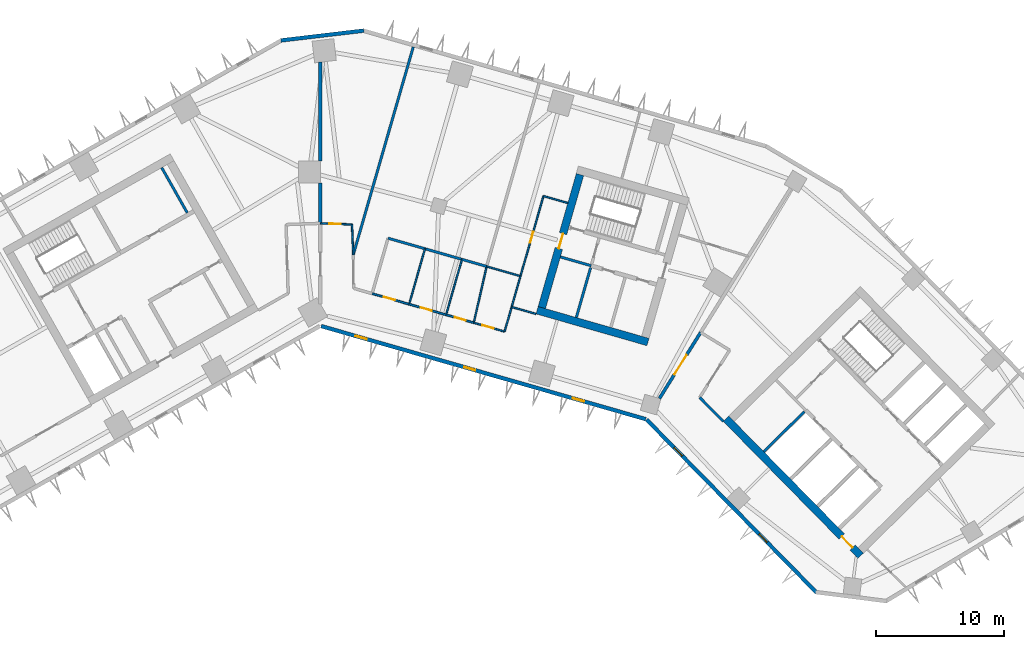
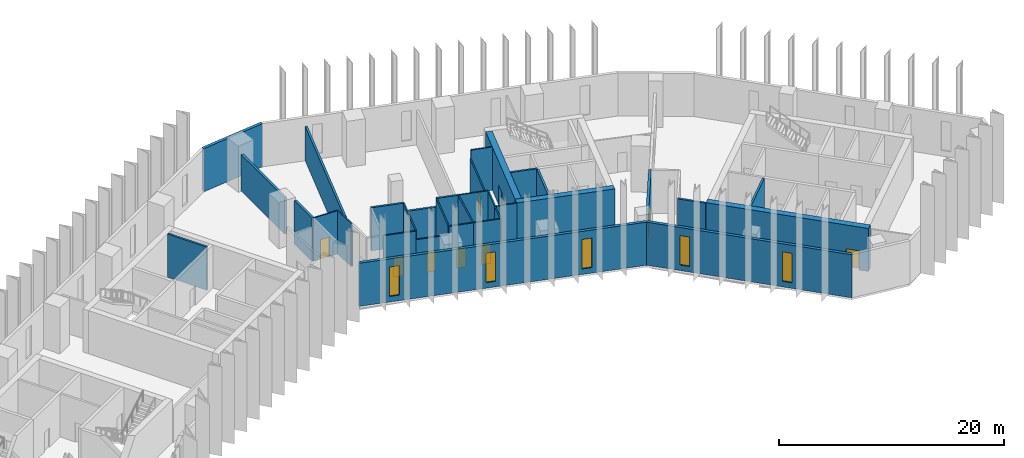
# One storey, part 5 of 11: 33 walls, 9 doors, 5 windows, 14 openings.
"""IFC4 building model written with IfcOpenShell, lengths in metres."""

from ifc_helpers import new_model, si_unit, direction, frame, frame_2d, origin, place, context, subcontext, project, spatial, rectangle, extrude, material, layer, layer_set, type_object, element, fill, save


model = new_model("IFC4")

# Units and contexts
model_context = context("Model", 3, precision=1e-05, world=origin(), true_north=direction((0.0, 1.0)))
body_context = subcontext(model_context, "Body", "Model", "MODEL_VIEW")
ifc_project = project(units=[si_unit("LENGTHUNIT", "METRE"), si_unit("AREAUNIT", "SQUARE_METRE"), si_unit("VOLUMEUNIT", "CUBIC_METRE"), si_unit("PLANEANGLEUNIT", "RADIAN"), si_unit("MASSUNIT", "GRAM", prefix="KILO")], contexts=[model_context])

# Site, building, storey
site_placement = place(None, origin())
site = spatial("IfcSite", under=ifc_project, at=site_placement, CompositionType="ELEMENT")
building_placement = place(site_placement, origin())
building = spatial("IfcBuilding", under=site, at=building_placement, Name="Binnacle Exchange Tower", CompositionType="ELEMENT")
storey_placement = place(building_placement, frame((0.0, 0.0, 76.5)))
storey = spatial("IfcBuildingStorey", under=building, at=storey_placement, Name="L15", CompositionType="ELEMENT", Elevation=76.5)

# Wall, opening, door
ifc_material_1 = material(Name="Concrete C70/85", Category="concrete")
ifc_layer_1 = layer(ifc_material_1, 0.60009765625)
ifc_layer_set_1 = layer_set([ifc_layer_1], Name="Core wall - outer 600")
wall_type_1 = type_object("IfcWallType", Name="Core wall - outer 600", PredefinedType="SOLIDWALL", material=ifc_layer_set_1)
wall_1_placement = place(storey_placement, frame((31.6455078125, 40.7626953125, 0.0), z_axis=(0.0, 0.0, 1.0), x_axis=(0.700911255944, -0.713248491965, 0.0)))
wall_1 = element("IfcWall", 1, at=wall_1_placement, inside=storey, type_object=wall_type_1, Name="Core wall CRWB1", PredefinedType="SOLIDWALL", context=body_context, shape_type="SweptSolid", body=[
    extrude(rectangle(XDim=15.0, YDim=0.60009765625, at=frame_2d((7.5, 0.0))), origin(), (0.0, 0.0, 1.0), 4.679931640625),
])
opening_1_placement = place(wall_1_placement, frame((12.89990234375, 0.0, 0.0)))
opening_1 = element("IfcOpeningElement", 2, at=opening_1_placement, cuts=wall_1, Name="Opening DB7", PredefinedType="OPENING", context=body_context, shape_type="SweptSolid", body=[
    extrude(rectangle(XDim=1.199951171875, YDim=2.10009765625, at=frame_2d((0.60009765625, 1.050048828125))), frame((0.0, 0.31005859375, 0.0), z_axis=(0.0, -1.0, 0.0), x_axis=(1.0, 0.0, 0.0)), (0.0, 0.0, 1.0), 0.6201171875),
])
ifc_material_2 = material(Name="Steel door leaf", Category="steel")
door_type_1 = type_object("IfcDoorType", Name="Fire door 1200", OperationType="NOTDEFINED", PredefinedType="DOOR", material=ifc_material_2)
door_1_placement = place(opening_1_placement, frame((1.199951171875, 0.0, 0.0), z_axis=(0.0, 0.0, 1.0), x_axis=(-1.0, 0.0, 0.0)))
door_1 = element("IfcDoor", 3, at=door_1_placement, inside=storey, type_object=door_type_1, Name="Lift lobby entrance door core B", OperationType="SINGLE_SWING_LEFT", OverallHeight=2.10009765625, OverallWidth=1.199951171875, PredefinedType="DOOR", context=body_context, shape_type="SweptSolid", body=[
    extrude(rectangle(XDim=1.199951171875, YDim=2.10009765625, at=frame_2d((0.60009765625, 1.050048828125))), frame((0.0, 0.02490234375, 0.0), z_axis=(0.0, -1.0, 0.0), x_axis=(1.0, 0.0, 0.0)), (0.0, 0.0, 1.0), 0.050048828125),
])
fill(opening_1, door_1)

# Wall
wall_2_placement = place(storey_placement, frame((16.91064453125, 49.22119140625, 0.0), z_axis=(0.0, 0.0, 1.0), x_axis=(0.96126248289, -0.275634611374, 0.0)))
element("IfcWall", 4, at=wall_2_placement, inside=storey, type_object=wall_type_1, Name="Core wall CRWD1", PredefinedType="SOLIDWALL", context=body_context, shape_type="SweptSolid", body=[
    extrude(rectangle(XDim=9.0, YDim=0.60009765625, at=frame_2d((4.5, 0.0))), origin(), (0.0, 0.0, 1.0), 4.679931640625),
])

# Wall, opening, door
wall_3_placement = place(storey_placement, frame((17.28173828125, 49.427001953125, 0.0), z_axis=(0.0, 0.0, 1.0), x_axis=(0.275631631629, 0.961263337304, 0.0)))
wall_3 = element("IfcWall", 5, at=wall_3_placement, inside=storey, type_object=wall_type_1, Name="Core wall CRWD7", PredefinedType="SOLIDWALL", context=body_context, shape_type="SweptSolid", body=[
    extrude(rectangle(XDim=10.800048828125, YDim=0.60009765625, at=frame_2d((5.39990234375, 0.0))), origin(), (0.0, 0.0, 1.0), 4.679931640625),
])
opening_2_placement = place(wall_3_placement, frame((4.800048828125, 0.0, 0.0)))
opening_2 = element("IfcOpeningElement", 6, at=opening_2_placement, cuts=wall_3, Name="Opening DD5", PredefinedType="OPENING", context=body_context, shape_type="SweptSolid", body=[
    extrude(rectangle(XDim=1.199951171875, YDim=2.10009765625, at=frame_2d((0.60009765625, 1.050048828125))), frame((0.0, 0.31005859375, 0.0), z_axis=(0.0, -1.0, 0.0), x_axis=(1.0, 0.0, 0.0)), (0.0, 0.0, 1.0), 0.6201171875),
])
door_2_placement = place(opening_2_placement, origin())
door_2 = element("IfcDoor", 7, at=door_2_placement, inside=storey, type_object=door_type_1, Name="Vestibule exit door VEST-W", OperationType="SINGLE_SWING_RIGHT", OverallHeight=2.10009765625, OverallWidth=1.199951171875, PredefinedType="DOOR", context=body_context, shape_type="SweptSolid", body=[
    extrude(rectangle(XDim=1.199951171875, YDim=2.10009765625, at=frame_2d((0.60009765625, 1.050048828125))), frame((0.0, 0.02490234375, 0.0), z_axis=(0.0, -1.0, 0.0), x_axis=(1.0, 0.0, 0.0)), (0.0, 0.0, 1.0), 0.050048828125),
])
fill(opening_2, door_2)

# Wall
ifc_material_3 = material(Name="Bronze aluminium cladding", Category="aluminium")
ifc_layer_2 = layer(ifc_material_3, 0.300048828125)
ifc_layer_set_2 = layer_set([ifc_layer_2], Name="External wall - spandrel 300")
wall_type_2 = type_object("IfcWallType", Name="External wall - spandrel 300", PredefinedType="STANDARD", material=ifc_layer_set_2)
wall_4_placement = place(storey_placement, frame((-3.076171875, 70.27294921875, 0.0), z_axis=(0.0, 0.0, 1.0), x_axis=(0.993067743007, 0.117543429416, 0.0)))
element("IfcWall", 8, at=wall_4_placement, inside=storey, type_object=wall_type_2, Name="External wall EW-F02 L15", PredefinedType="STANDARD", context=body_context, shape_type="SweptSolid", body=[
    extrude(rectangle(XDim=6.515625, YDim=0.300048828125, at=frame_2d((3.2578125, 0.0))), origin(), (0.0, 0.0, 1.0), 4.679931640625),
])

# Wall, openings, windows
wall_5_placement = place(storey_placement, frame((25.398193359375, 40.71728515625, 0.0), z_axis=(0.0, 0.0, 1.0), x_axis=(-0.961262423262, 0.275634819324, 0.0)))
wall_5 = element("IfcWall", 9, at=wall_5_placement, inside=storey, type_object=wall_type_2, Name="External wall EW-F08 L15", PredefinedType="STANDARD", context=body_context, shape_type="SweptSolid", body=[
    extrude(rectangle(XDim=26.358642578125, YDim=0.300048828125, at=frame_2d((13.17919921875, 0.0))), origin(), (0.0, 0.0, 1.0), 4.679931640625),
])
opening_3_placement = place(wall_5_placement, frame((22.6640625, 0.0, 0.60009765625)))
opening_3 = element("IfcOpeningElement", 10, at=opening_3_placement, cuts=wall_5, Name="Opening WS1", PredefinedType="OPENING", context=body_context, shape_type="SweptSolid", body=[
    extrude(rectangle(XDim=0.89990234375, YDim=3.199951171875, at=frame_2d((0.449951171875, 1.60009765625))), frame((0.0, 0.159912109375, 0.0), z_axis=(0.0, -1.0, 0.0), x_axis=(1.0, 0.0, 0.0)), (0.0, 0.0, 1.0), 0.320068359375),
])
opening_4_placement = place(wall_5_placement, frame((13.843505859375, 0.0, 0.60009765625)))
opening_4 = element("IfcOpeningElement", 11, at=opening_4_placement, cuts=wall_5, Name="Opening WS1", PredefinedType="OPENING", context=body_context, shape_type="SweptSolid", body=[
    extrude(rectangle(XDim=0.89990234375, YDim=3.199951171875, at=frame_2d((0.449951171875, 1.60009765625))), frame((0.0, 0.159912109375, 0.0), z_axis=(0.0, -1.0, 0.0), x_axis=(1.0, 0.0, 0.0)), (0.0, 0.0, 1.0), 0.320068359375),
])
opening_5_placement = place(wall_5_placement, frame((5.023193359375, 0.0, 0.60009765625)))
opening_5 = element("IfcOpeningElement", 12, at=opening_5_placement, cuts=wall_5, Name="Opening WS1", PredefinedType="OPENING", context=body_context, shape_type="SweptSolid", body=[
    extrude(rectangle(XDim=0.89990234375, YDim=3.199951171875, at=frame_2d((0.449951171875, 1.60009765625))), frame((0.0, 0.159912109375, 0.0), z_axis=(0.0, -1.0, 0.0), x_axis=(1.0, 0.0, 0.0)), (0.0, 0.0, 1.0), 0.320068359375),
])
ifc_material_4 = material(Name="Bronze anodised aluminium frame", Category="aluminium")
window_type = type_object("IfcWindowType", Name="WS1 WINDOW 900x3200", PartitioningType="SINGLE_PANEL", PredefinedType="WINDOW", material=ifc_material_4)
window_1_placement = place(opening_3_placement, origin())
window_1 = element("IfcWindow", 13, at=window_1_placement, inside=storey, type_object=window_type, Name="Window WS1 L15", OverallHeight=3.199951171875, OverallWidth=0.89990234375, PartitioningType="SINGLE_PANEL", PredefinedType="WINDOW", context=body_context, shape_type="SweptSolid", body=[
    extrude(rectangle(XDim=0.89990234375, YDim=3.199951171875, at=frame_2d((0.449951171875, 1.60009765625))), frame((0.0, 0.030029296875, 0.0), z_axis=(0.0, -1.0, 0.0), x_axis=(1.0, 0.0, 0.0)), (0.0, 0.0, 1.0), 0.06005859375),
])
fill(opening_3, window_1)
window_2_placement = place(opening_4_placement, origin())
window_2 = element("IfcWindow", 14, at=window_2_placement, inside=storey, type_object=window_type, Name="Window WS1 L15", OverallHeight=3.199951171875, OverallWidth=0.89990234375, PartitioningType="SINGLE_PANEL", PredefinedType="WINDOW", context=body_context, shape_type="SweptSolid", body=[
    extrude(rectangle(XDim=0.89990234375, YDim=3.199951171875, at=frame_2d((0.449951171875, 1.60009765625))), frame((0.0, 0.030029296875, 0.0), z_axis=(0.0, -1.0, 0.0), x_axis=(1.0, 0.0, 0.0)), (0.0, 0.0, 1.0), 0.06005859375),
])
fill(opening_4, window_2)
window_3_placement = place(opening_5_placement, origin())
window_3 = element("IfcWindow", 15, at=window_3_placement, inside=storey, type_object=window_type, Name="Window WS1 L15", OverallHeight=3.199951171875, OverallWidth=0.89990234375, PartitioningType="SINGLE_PANEL", PredefinedType="WINDOW", context=body_context, shape_type="SweptSolid", body=[
    extrude(rectangle(XDim=0.89990234375, YDim=3.199951171875, at=frame_2d((0.449951171875, 1.60009765625))), frame((0.0, 0.030029296875, 0.0), z_axis=(0.0, -1.0, 0.0), x_axis=(1.0, 0.0, 0.0)), (0.0, 0.0, 1.0), 0.06005859375),
])
fill(opening_5, window_3)

wall_6_placement = place(storey_placement, frame((38.727294921875, 27.18115234375, 0.0), z_axis=(0.0, 0.0, 1.0), x_axis=(-0.700906405975, 0.713253258011, 0.0)))
wall_6 = element("IfcWall", 16, at=wall_6_placement, inside=storey, type_object=wall_type_2, Name="External wall EW-F09 L15", PredefinedType="STANDARD", context=body_context, shape_type="SweptSolid", body=[
    extrude(rectangle(XDim=18.92333984375, YDim=0.300048828125, at=frame_2d((9.461669921875, 0.0))), origin(), (0.0, 0.0, 1.0), 4.679931640625),
])
opening_6_placement = place(wall_6_placement, frame((14.967041015625, 0.0, 0.60009765625)))
opening_6 = element("IfcOpeningElement", 17, at=opening_6_placement, cuts=wall_6, Name="Opening WS1", PredefinedType="OPENING", context=body_context, shape_type="SweptSolid", body=[
    extrude(rectangle(XDim=0.89990234375, YDim=3.199951171875, at=frame_2d((0.449951171875, 1.60009765625))), frame((0.0, 0.159912109375, 0.0), z_axis=(0.0, -1.0, 0.0), x_axis=(1.0, 0.0, 0.0)), (0.0, 0.0, 1.0), 0.320068359375),
])
opening_7_placement = place(wall_6_placement, frame((5.51171875, 0.0, 0.60009765625)))
opening_7 = element("IfcOpeningElement", 18, at=opening_7_placement, cuts=wall_6, Name="Opening WS1", PredefinedType="OPENING", context=body_context, shape_type="SweptSolid", body=[
    extrude(rectangle(XDim=0.89990234375, YDim=3.199951171875, at=frame_2d((0.449951171875, 1.60009765625))), frame((0.0, 0.159912109375, 0.0), z_axis=(0.0, -1.0, 0.0), x_axis=(1.0, 0.0, 0.0)), (0.0, 0.0, 1.0), 0.320068359375),
])
window_4_placement = place(opening_6_placement, origin())
window_4 = element("IfcWindow", 19, at=window_4_placement, inside=storey, type_object=window_type, Name="Window WS1 L15", OverallHeight=3.199951171875, OverallWidth=0.89990234375, PartitioningType="SINGLE_PANEL", PredefinedType="WINDOW", context=body_context, shape_type="SweptSolid", body=[
    extrude(rectangle(XDim=0.89990234375, YDim=3.199951171875, at=frame_2d((0.449951171875, 1.60009765625))), frame((0.0, 0.030029296875, 0.0), z_axis=(0.0, -1.0, 0.0), x_axis=(1.0, 0.0, 0.0)), (0.0, 0.0, 1.0), 0.06005859375),
])
fill(opening_6, window_4)
window_5_placement = place(opening_7_placement, origin())
window_5 = element("IfcWindow", 20, at=window_5_placement, inside=storey, type_object=window_type, Name="Window WS1 L15", OverallHeight=3.199951171875, OverallWidth=0.89990234375, PartitioningType="SINGLE_PANEL", PredefinedType="WINDOW", context=body_context, shape_type="SweptSolid", body=[
    extrude(rectangle(XDim=0.89990234375, YDim=3.199951171875, at=frame_2d((0.449951171875, 1.60009765625))), frame((0.0, 0.030029296875, 0.0), z_axis=(0.0, -1.0, 0.0), x_axis=(1.0, 0.0, 0.0)), (0.0, 0.0, 1.0), 0.06005859375),
])
fill(opening_7, window_5)

# Walls
ifc_material_5 = material(Name="Masonry block wall", Category="masonry")
ifc_layer_3 = layer(ifc_material_5, 0.199951171875)
ifc_layer_set_3 = layer_set([ifc_layer_3], Name="Fire wall - block 200")
wall_type_3 = type_object("IfcWallType", Name="Fire wall - block 200", PredefinedType="PARTITIONING", material=ifc_layer_set_3)
wall_7_placement = place(storey_placement, frame((2.569091796875, 53.5419921875, 0.0), z_axis=(0.0, 0.0, 1.0), x_axis=(0.277281040764, 0.960788855281, 0.0)))
element("IfcWall", 21, at=wall_7_placement, inside=storey, type_object=wall_type_3, Name="Partition W15", PredefinedType="PARTITIONING", context=body_context, shape_type="SweptSolid", body=[
    extrude(rectangle(XDim=16.885009765625, YDim=0.199951171875, at=frame_2d((8.4423828125, 0.0))), origin(), (0.0, 0.0, 1.0), 3.741943359375),
])
wall_8_placement = place(storey_placement, frame((5.283935546875, 54.843994140625, 0.0), z_axis=(0.0, 0.0, 1.0), x_axis=(0.961243927922, -0.275699312717, 0.0)))
element("IfcWall", 22, at=wall_8_placement, inside=storey, type_object=wall_type_3, Name="Partition W19", PredefinedType="PARTITIONING", context=body_context, shape_type="SweptSolid", body=[
    extrude(rectangle(XDim=2.999267578125, YDim=0.199951171875, at=frame_2d((1.49951171875, 0.0))), origin(), (0.0, 0.0, 1.0), 4.679931640625),
])
wall_9_placement = place(storey_placement, frame((8.1669921875, 54.01708984375, 0.0), z_axis=(0.0, 0.0, 1.0), x_axis=(0.961247103494, -0.275688240636, 0.0)))
element("IfcWall", 23, at=wall_9_placement, inside=storey, type_object=wall_type_3, Name="Partition W22", PredefinedType="PARTITIONING", context=body_context, shape_type="SweptSolid", body=[
    extrude(rectangle(XDim=3.000244140625, YDim=0.199951171875, at=frame_2d((1.5, 0.0))), origin(), (0.0, 0.0, 1.0), 3.741943359375),
])
wall_10_placement = place(storey_placement, frame((11.051025390625, 53.18994140625, 0.0), z_axis=(0.0, 0.0, 1.0), x_axis=(0.961316434736, -0.275446387355, 0.0)))
element("IfcWall", 24, at=wall_10_placement, inside=storey, type_object=wall_type_3, Name="Partition W25", PredefinedType="PARTITIONING", context=body_context, shape_type="SweptSolid", body=[
    extrude(rectangle(XDim=2.00048828125, YDim=0.199951171875, at=frame_2d((1.000244140625, 0.0))), origin(), (0.0, 0.0, 1.0), 4.679931640625),
])
wall_11_placement = place(storey_placement, frame((29.60009765625, 42.416015625, 0.0), z_axis=(0.0, 0.0, 1.0), x_axis=(0.700914320664, -0.713245480244, 0.0)))
element("IfcWall", 25, at=wall_11_placement, inside=storey, type_object=wall_type_3, Name="Partition W38", PredefinedType="PARTITIONING", context=body_context, shape_type="SweptSolid", body=[
    extrude(rectangle(XDim=2.613525390625, YDim=0.199951171875, at=frame_2d((1.306640625, 0.0))), origin(), (0.0, 0.0, 1.0), 4.679931640625),
])
ifc_material_6 = material(Name="Concrete fire wall C30/37", Category="concrete")
ifc_layer_4 = layer(ifc_material_6, 0.25)
ifc_layer_set_4 = layer_set([ifc_layer_4], Name="Fire wall - compartment 250")
wall_type_4 = type_object("IfcWallType", Name="Fire wall - compartment 250", PredefinedType="PARTITIONING", material=ifc_layer_set_4)
wall_12_placement = place(storey_placement, frame((0.0, 56.0, 0.0), z_axis=(0.0, 0.0, 1.0), x_axis=(0.0, 1.0, 0.0)))
element("IfcWall", 26, at=wall_12_placement, inside=storey, type_object=wall_type_4, Name="Fire Wall W10", PredefinedType="PARTITIONING", context=body_context, shape_type="SweptSolid", body=[
    extrude(rectangle(XDim=3.14990234375, YDim=0.25, at=frame_2d((1.574951171875, 0.0))), origin(), (0.0, 0.0, 1.0), 4.679931640625),
])
wall_13_placement = place(storey_placement, frame((0.0, 60.85009765625, 0.0), z_axis=(0.0, 0.0, 1.0), x_axis=(0.0, 1.0, 0.0)))
element("IfcWall", 27, at=wall_13_placement, inside=storey, type_object=wall_type_4, Name="Fire Wall W12", PredefinedType="PARTITIONING", context=body_context, shape_type="SweptSolid", body=[
    extrude(rectangle(XDim=7.722900390625, YDim=0.25, at=frame_2d((3.861328125, 0.0))), origin(), (0.0, 0.0, 1.0), 3.951904296875),
])

# Wall, opening, door
wall_14_placement = place(storey_placement, frame((26.4560546875, 42.337890625, 0.0), z_axis=(0.0, 0.0, 1.0), x_axis=(0.52980027265, 0.848122438743, 0.0)))
wall_14 = element("IfcWall", 28, at=wall_14_placement, inside=storey, type_object=wall_type_4, Name="Fire Wall W36", PredefinedType="PARTITIONING", context=body_context, shape_type="SweptSolid", body=[
    extrude(rectangle(XDim=6.075927734375, YDim=0.25, at=frame_2d((3.0380859375, 0.0))), origin(), (0.0, 0.0, 1.0), 4.679931640625),
])
opening_8_placement = place(wall_14_placement, frame((2.199951171875, 0.0, 0.0)))
opening_8 = element("IfcOpeningElement", 29, at=opening_8_placement, cuts=wall_14, Name="Opening DL14-15", PredefinedType="OPENING", context=body_context, shape_type="SweptSolid", body=[
    extrude(rectangle(XDim=1.800048828125, YDim=2.10009765625, at=frame_2d((0.89990234375, 1.050048828125))), frame((0.0, 0.135009765625, 0.0), z_axis=(0.0, -1.0, 0.0), x_axis=(1.0, 0.0, 0.0)), (0.0, 0.0, 1.0), 0.27001953125),
])
door_type_2 = type_object("IfcDoorType", Name="Fire door 1800", OperationType="NOTDEFINED", PredefinedType="DOOR", material=ifc_material_2)
door_3_placement = place(opening_8_placement, origin())
door_3 = element("IfcDoor", 30, at=door_3_placement, inside=storey, type_object=door_type_2, Name="Door DL14-15", OperationType="DOUBLE_DOOR_SINGLE_SWING", OverallHeight=2.10009765625, OverallWidth=1.800048828125, PredefinedType="DOOR", context=body_context, shape_type="SweptSolid", body=[
    extrude(rectangle(XDim=1.800048828125, YDim=2.10009765625, at=frame_2d((0.89990234375, 1.050048828125))), frame((0.0, 0.02490234375, 0.0), z_axis=(0.0, -1.0, 0.0), x_axis=(1.0, 0.0, 0.0)), (0.0, 0.0, 1.0), 0.050048828125),
])
fill(opening_8, door_3)

ifc_material_7 = material(Name="Gypsum partition fire rated")
ifc_layer_5 = layer(ifc_material_7, 0.14990234375)
ifc_layer_set_5 = layer_set([ifc_layer_5], Name="Fire-rated partition 150")
wall_type_5 = type_object("IfcWallType", Name="Fire-rated partition 150", PredefinedType="PARTITIONING", material=ifc_layer_set_5)
wall_15_placement = place(storey_placement, frame((4.04296875, 50.51806640625, 0.0), z_axis=(0.0, 0.0, 1.0), x_axis=(0.961247103494, -0.275688240636, 0.0)))
wall_15 = element("IfcWall", 31, at=wall_15_placement, inside=storey, type_object=wall_type_5, Name="Partition W18", PredefinedType="PARTITIONING", context=body_context, shape_type="SweptSolid", body=[
    extrude(rectangle(XDim=3.000244140625, YDim=0.14990234375, at=frame_2d((1.5, 0.0))), origin(), (0.0, 0.0, 1.0), 4.679931640625),
])
opening_9_placement = place(wall_15_placement, frame((0.949951171875, 0.0, 0.0)))
opening_9 = element("IfcOpeningElement", 32, at=opening_9_placement, cuts=wall_15, Name="Opening DL14-04", PredefinedType="OPENING", context=body_context, shape_type="SweptSolid", body=[
    extrude(rectangle(XDim=0.89990234375, YDim=2.10009765625, at=frame_2d((0.449951171875, 1.050048828125))), frame((0.0, 0.0849609375, 0.0), z_axis=(0.0, -1.0, 0.0), x_axis=(1.0, 0.0, 0.0)), (0.0, 0.0, 1.0), 0.169921875),
])
door_type_3 = type_object("IfcDoorType", Name="Fire door 900", OperationType="NOTDEFINED", PredefinedType="DOOR", material=ifc_material_2)
door_4_placement = place(opening_9_placement, origin())
door_4 = element("IfcDoor", 33, at=door_4_placement, inside=storey, type_object=door_type_3, Name="Door DL14-04", OperationType="SINGLE_SWING_LEFT", OverallHeight=2.10009765625, OverallWidth=0.89990234375, PredefinedType="DOOR", context=body_context, shape_type="SweptSolid", body=[
    extrude(rectangle(XDim=0.89990234375, YDim=2.10009765625, at=frame_2d((0.449951171875, 1.050048828125))), frame((0.0, 0.02490234375, 0.0), z_axis=(0.0, -1.0, 0.0), x_axis=(1.0, 0.0, 0.0)), (0.0, 0.0, 1.0), 0.050048828125),
])
fill(opening_9, door_4)

wall_16_placement = place(storey_placement, frame((6.927001953125, 49.69091796875, 0.0), z_axis=(0.0, 0.0, 1.0), x_axis=(0.961268664977, -0.27561305073, 0.0)))
wall_16 = element("IfcWall", 34, at=wall_16_placement, inside=storey, type_object=wall_type_5, Name="Partition W21", PredefinedType="PARTITIONING", context=body_context, shape_type="SweptSolid", body=[
    extrude(rectangle(XDim=3.000244140625, YDim=0.14990234375, at=frame_2d((1.5, 0.0))), origin(), (0.0, 0.0, 1.0), 3.741943359375),
])
opening_10_placement = place(wall_16_placement, frame((0.949951171875, 0.0, 0.0)))
opening_10 = element("IfcOpeningElement", 35, at=opening_10_placement, cuts=wall_16, Name="Opening DL14-05", PredefinedType="OPENING", context=body_context, shape_type="SweptSolid", body=[
    extrude(rectangle(XDim=0.89990234375, YDim=2.10009765625, at=frame_2d((0.449951171875, 1.050048828125))), frame((0.0, 0.0849609375, 0.0), z_axis=(0.0, -1.0, 0.0), x_axis=(1.0, 0.0, 0.0)), (0.0, 0.0, 1.0), 0.169921875),
])
door_5_placement = place(opening_10_placement, origin())
door_5 = element("IfcDoor", 36, at=door_5_placement, inside=storey, type_object=door_type_3, Name="Door DL14-05", OperationType="SINGLE_SWING_LEFT", OverallHeight=2.10009765625, OverallWidth=0.89990234375, PredefinedType="DOOR", context=body_context, shape_type="SweptSolid", body=[
    extrude(rectangle(XDim=0.89990234375, YDim=2.10009765625, at=frame_2d((0.449951171875, 1.050048828125))), frame((0.0, 0.02490234375, 0.0), z_axis=(0.0, -1.0, 0.0), x_axis=(1.0, 0.0, 0.0)), (0.0, 0.0, 1.0), 0.050048828125),
])
fill(opening_10, door_5)

wall_17_placement = place(storey_placement, frame((9.81103515625, 48.864013671875, 0.0), z_axis=(0.0, 0.0, 1.0), x_axis=(0.961236680145, -0.275724581318, 0.0)))
wall_17 = element("IfcWall", 37, at=wall_17_placement, inside=storey, type_object=wall_type_5, Name="Partition W24", PredefinedType="PARTITIONING", context=body_context, shape_type="SweptSolid", body=[
    extrude(rectangle(XDim=2.2490234375, YDim=0.14990234375, at=frame_2d((1.12451171875, 0.0))), origin(), (0.0, 0.0, 1.0), 4.679931640625),
])
opening_11_placement = place(wall_17_placement, frame((0.699951171875, 0.0, 0.0)))
opening_11 = element("IfcOpeningElement", 38, at=opening_11_placement, cuts=wall_17, Name="Opening DL14-06", PredefinedType="OPENING", context=body_context, shape_type="SweptSolid", body=[
    extrude(rectangle(XDim=0.89990234375, YDim=2.10009765625, at=frame_2d((0.449951171875, 1.050048828125))), frame((0.0, 0.0849609375, 0.0), z_axis=(0.0, -1.0, 0.0), x_axis=(1.0, 0.0, 0.0)), (0.0, 0.0, 1.0), 0.169921875),
])
door_6_placement = place(opening_11_placement, origin())
door_6 = element("IfcDoor", 39, at=door_6_placement, inside=storey, type_object=door_type_3, Name="Door DL14-06", OperationType="SINGLE_SWING_RIGHT", OverallHeight=2.10009765625, OverallWidth=0.89990234375, PredefinedType="DOOR", context=body_context, shape_type="SweptSolid", body=[
    extrude(rectangle(XDim=0.89990234375, YDim=2.10009765625, at=frame_2d((0.449951171875, 1.050048828125))), frame((0.0, 0.02490234375, 0.0), z_axis=(0.0, -1.0, 0.0), x_axis=(1.0, 0.0, 0.0)), (0.0, 0.0, 1.0), 0.050048828125),
])
fill(opening_11, door_6)

ifc_material_8 = material(Name="Gypsum partition")
ifc_layer_6 = layer(ifc_material_8, 0.125)
ifc_layer_set_6 = layer_set([ifc_layer_6], Name="Partition 125")
wall_type_6 = type_object("IfcWallType", Name="Partition 125", PredefinedType="PARTITIONING", material=ifc_layer_set_6)
wall_18_placement = place(storey_placement, frame((0.0, 56.0, 0.0), z_axis=(0.0, 0.0, 1.0), x_axis=(0.999349313684, -0.036068673934, 0.0)))
wall_18 = element("IfcWall", 40, at=wall_18_placement, inside=storey, type_object=wall_type_6, Name="Partition W11", PredefinedType="PARTITIONING", context=body_context, shape_type="SweptSolid", body=[
    extrude(rectangle(XDim=2.470703125, YDim=0.125, at=frame_2d((1.2353515625, 0.0))), origin(), (0.0, 0.0, 1.0), 4.679931640625),
])
opening_12_placement = place(wall_18_placement, frame((0.699951171875, 0.0, 0.0)))
opening_12 = element("IfcOpeningElement", 41, at=opening_12_placement, cuts=wall_18, Name="Opening DL14-08", PredefinedType="OPENING", context=body_context, shape_type="SweptSolid", body=[
    extrude(rectangle(XDim=0.89990234375, YDim=2.10009765625, at=frame_2d((0.449951171875, 1.050048828125))), frame((0.0, 0.072509765625, 0.0), z_axis=(0.0, -1.0, 0.0), x_axis=(1.0, 0.0, 0.0)), (0.0, 0.0, 1.0), 0.14501953125),
])
ifc_material_9 = material(Name="Timber door leaf", Category="wood")
door_type_4 = type_object("IfcDoorType", Name="Door 900", OperationType="NOTDEFINED", PredefinedType="DOOR", material=ifc_material_9)
door_7_placement = place(opening_12_placement, origin())
door_7 = element("IfcDoor", 42, at=door_7_placement, inside=storey, type_object=door_type_4, Name="Door DL14-08", OperationType="SINGLE_SWING_LEFT", OverallHeight=2.10009765625, OverallWidth=0.89990234375, PredefinedType="DOOR", context=body_context, shape_type="SweptSolid", body=[
    extrude(rectangle(XDim=0.89990234375, YDim=2.10009765625, at=frame_2d((0.449951171875, 1.050048828125))), frame((0.0, 0.02490234375, 0.0), z_axis=(0.0, -1.0, 0.0), x_axis=(1.0, 0.0, 0.0)), (0.0, 0.0, 1.0), 0.050048828125),
])
fill(opening_12, door_7)

# Walls
wall_19_placement = place(storey_placement, frame((2.468994140625, 55.910888671875, 0.0), z_axis=(0.0, 0.0, 1.0), x_axis=(0.042217300367, -0.999108452346, 0.0)))
element("IfcWall", 43, at=wall_19_placement, inside=storey, type_object=wall_type_6, Name="Partition W13", PredefinedType="PARTITIONING", context=body_context, shape_type="SweptSolid", body=[
    extrude(rectangle(XDim=2.37109375, YDim=0.125, at=frame_2d((1.185546875, 0.0))), origin(), (0.0, 0.0, 1.0), 4.679931640625),
])
wall_20_placement = place(storey_placement, frame((6.927001953125, 49.69091796875, 0.0), z_axis=(0.0, 0.0, 1.0), x_axis=(0.275530671241, 0.961292280841, 0.0)))
element("IfcWall", 44, at=wall_20_placement, inside=storey, type_object=wall_type_6, Name="Partition W20", PredefinedType="PARTITIONING", context=body_context, shape_type="SweptSolid", body=[
    extrude(rectangle(XDim=4.50048828125, YDim=0.125, at=frame_2d((2.250244140625, 0.0))), origin(), (0.0, 0.0, 1.0), 4.679931640625),
])
wall_21_placement = place(storey_placement, frame((9.81103515625, 48.864013671875, 0.0), z_axis=(0.0, 0.0, 1.0), x_axis=(0.275545040649, 0.96128816209, 0.0)))
element("IfcWall", 45, at=wall_21_placement, inside=storey, type_object=wall_type_6, Name="Partition W23", PredefinedType="PARTITIONING", context=body_context, shape_type="SweptSolid", body=[
    extrude(rectangle(XDim=4.500244140625, YDim=0.125, at=frame_2d((2.25, 0.0))), origin(), (0.0, 0.0, 1.0), 4.679931640625),
])
wall_22_placement = place(storey_placement, frame((11.972900390625, 48.243896484375, 0.0), z_axis=(0.0, 0.0, 1.0), x_axis=(0.222117362571, 0.975019936845, 0.0)))
element("IfcWall", 46, at=wall_22_placement, inside=storey, type_object=wall_type_6, Name="Partition W26", PredefinedType="PARTITIONING", context=body_context, shape_type="SweptSolid", body=[
    extrude(rectangle(XDim=4.507568359375, YDim=0.125, at=frame_2d((2.25390625, 0.0))), origin(), (0.0, 0.0, 1.0), 4.679931640625),
])

# Wall, opening, door
wall_23_placement = place(storey_placement, frame((11.972900390625, 48.243896484375, 0.0), z_axis=(0.0, 0.0, 1.0), x_axis=(0.961302601161, -0.275494662382, 0.0)))
wall_23 = element("IfcWall", 47, at=wall_23_placement, inside=storey, type_object=wall_type_6, Name="Partition W27", PredefinedType="PARTITIONING", context=body_context, shape_type="SweptSolid", body=[
    extrude(rectangle(XDim=2.500732421875, YDim=0.125, at=frame_2d((1.25048828125, 0.0))), origin(), (0.0, 0.0, 1.0), 4.679931640625),
])
opening_13_placement = place(wall_23_placement, frame((0.699951171875, 0.0, 0.0)))
opening_13 = element("IfcOpeningElement", 48, at=opening_13_placement, cuts=wall_23, Name="Opening DL14-07", PredefinedType="OPENING", context=body_context, shape_type="SweptSolid", body=[
    extrude(rectangle(XDim=0.89990234375, YDim=2.10009765625, at=frame_2d((0.449951171875, 1.050048828125))), frame((0.0, 0.072509765625, 0.0), z_axis=(0.0, -1.0, 0.0), x_axis=(1.0, 0.0, 0.0)), (0.0, 0.0, 1.0), 0.14501953125),
])
door_8_placement = place(opening_13_placement, origin())
door_8 = element("IfcDoor", 49, at=door_8_placement, inside=storey, type_object=door_type_4, Name="Door DL14-07", OperationType="SINGLE_SWING_LEFT", OverallHeight=2.10009765625, OverallWidth=0.89990234375, PredefinedType="DOOR", context=body_context, shape_type="SweptSolid", body=[
    extrude(rectangle(XDim=0.89990234375, YDim=2.10009765625, at=frame_2d((0.449951171875, 1.050048828125))), frame((0.0, 0.02490234375, 0.0), z_axis=(0.0, -1.0, 0.0), x_axis=(1.0, 0.0, 0.0)), (0.0, 0.0, 1.0), 0.050048828125),
])
fill(opening_13, door_8)

# Walls
wall_24_placement = place(storey_placement, frame((12.97412109375, 52.638916015625, 0.0), z_axis=(0.0, 0.0, 1.0), x_axis=(0.961262138292, -0.275635813142, 0.0)))
element("IfcWall", 50, at=wall_24_placement, inside=storey, type_object=wall_type_6, Name="Partition W28", PredefinedType="PARTITIONING", context=body_context, shape_type="SweptSolid", body=[
    extrude(rectangle(XDim=2.749267578125, YDim=0.125, at=frame_2d((1.37451171875, 0.0))), origin(), (0.0, 0.0, 1.0), 4.679931640625),
])
wall_25_placement = place(storey_placement, frame((14.376953125, 47.554931640625, 0.0), z_axis=(0.0, 0.0, 1.0), x_axis=(0.275446387355, 0.961316434736, 0.0)))
element("IfcWall", 51, at=wall_25_placement, inside=storey, type_object=wall_type_6, Name="Partition W30", PredefinedType="PARTITIONING", context=body_context, shape_type="SweptSolid", body=[
    extrude(rectangle(XDim=2.00048828125, YDim=0.125, at=frame_2d((1.000244140625, 0.0))), origin(), (0.0, 0.0, 1.0), 4.679931640625),
])
wall_26_placement = place(storey_placement, frame((14.927978515625, 49.47802734375, 0.0), z_axis=(0.0, 0.0, 1.0), x_axis=(0.275598116036, 0.961272946898, 0.0)))
element("IfcWall", 52, at=wall_26_placement, inside=storey, type_object=wall_type_6, Name="Partition W31", PredefinedType="PARTITIONING", context=body_context, shape_type="SweptSolid", body=[
    extrude(rectangle(XDim=2.5, YDim=0.125, at=frame_2d((1.25, 0.0))), origin(), (0.0, 0.0, 1.0), 4.679931640625),
])
wall_27_placement = place(storey_placement, frame((14.927978515625, 49.47802734375, 0.0), z_axis=(0.0, 0.0, 1.0), x_axis=(0.961243778232, -0.27569983462, 0.0)))
element("IfcWall", 53, at=wall_27_placement, inside=storey, type_object=wall_type_6, Name="Partition W32", PredefinedType="PARTITIONING", context=body_context, shape_type="SweptSolid", body=[
    extrude(rectangle(XDim=1.9765625, YDim=0.125, at=frame_2d((0.98828125, 0.0))), origin(), (0.0, 0.0, 1.0), 4.679931640625),
])

# Wall, opening, door
wall_28_placement = place(storey_placement, frame((15.616943359375, 51.881103515625, 0.0), z_axis=(0.0, 0.0, 1.0), x_axis=(0.275703259795, 0.961242795832, 0.0)))
wall_28 = element("IfcWall", 54, at=wall_28_placement, inside=storey, type_object=wall_type_6, Name="Partition W33", PredefinedType="PARTITIONING", context=body_context, shape_type="SweptSolid", body=[
    extrude(rectangle(XDim=6.499755859375, YDim=0.125, at=frame_2d((3.25, 0.0))), origin(), (0.0, 0.0, 1.0), 3.741943359375),
])
opening_14_placement = place(wall_28_placement, frame((2.699951171875, 0.0, 0.0)))
opening_14 = element("IfcOpeningElement", 55, at=opening_14_placement, cuts=wall_28, Name="Opening DL14-10", PredefinedType="OPENING", context=body_context, shape_type="SweptSolid", body=[
    extrude(rectangle(XDim=0.89990234375, YDim=2.10009765625, at=frame_2d((0.449951171875, 1.050048828125))), frame((0.0, 0.072509765625, 0.0), z_axis=(0.0, -1.0, 0.0), x_axis=(1.0, 0.0, 0.0)), (0.0, 0.0, 1.0), 0.14501953125),
])
door_9_placement = place(opening_14_placement, origin())
door_9 = element("IfcDoor", 56, at=door_9_placement, inside=storey, type_object=door_type_4, Name="Door DL14-10", OperationType="SINGLE_SWING_LEFT", OverallHeight=2.10009765625, OverallWidth=0.89990234375, PredefinedType="DOOR", context=body_context, shape_type="SweptSolid", body=[
    extrude(rectangle(XDim=0.89990234375, YDim=2.10009765625, at=frame_2d((0.449951171875, 1.050048828125))), frame((0.0, 0.02490234375, 0.0), z_axis=(0.0, -1.0, 0.0), x_axis=(1.0, 0.0, 0.0)), (0.0, 0.0, 1.0), 0.050048828125),
])
fill(opening_14, door_9)

# Walls
wall_29_placement = place(storey_placement, frame((17.408935546875, 58.12890625, 0.0), z_axis=(0.0, 0.0, 1.0), x_axis=(0.961253165474, -0.275667103345, 0.0)))
element("IfcWall", 57, at=wall_29_placement, inside=storey, type_object=wall_type_6, Name="Partition W34", PredefinedType="PARTITIONING", context=body_context, shape_type="SweptSolid", body=[
    extrude(rectangle(XDim=1.976806640625, YDim=0.125, at=frame_2d((0.98828125, 0.0))), origin(), (0.0, 0.0, 1.0), 4.679931640625),
])
ifc_layer_7 = layer(ifc_material_5, 0.199951171875)
ifc_layer_set_7 = layer_set([ifc_layer_7], Name="Riser wall 200")
wall_type_7 = type_object("IfcWallType", Name="Riser wall 200", PredefinedType="SOLIDWALL", material=ifc_layer_set_7)
wall_30_placement = place(storey_placement, frame((-12.377197265625, 60.3505859375, 0.0), z_axis=(0.0, 0.0, 1.0), x_axis=(0.492440575896, -0.870346068648, 0.0)))
element("IfcWall", 58, at=wall_30_placement, inside=storey, type_object=wall_type_7, Name="Core wall CRWC23", PredefinedType="SOLIDWALL", context=body_context, shape_type="SweptSolid", body=[
    extrude(rectangle(XDim=4.050048828125, YDim=0.199951171875, at=frame_2d((2.02490234375, 0.0))), origin(), (0.0, 0.0, 1.0), 4.679931640625),
])
wall_31_placement = place(storey_placement, frame((34.59326171875, 38.19140625, 0.0), z_axis=(0.0, 0.0, 1.0), x_axis=(0.713252216116, 0.700907466222, 0.0)))
element("IfcWall", 59, at=wall_31_placement, inside=storey, type_object=wall_type_7, Name="Core wall CRWB9", PredefinedType="SOLIDWALL", context=body_context, shape_type="SweptSolid", body=[
    extrude(rectangle(XDim=4.44970703125, YDim=0.199951171875, at=frame_2d((2.224853515625, 0.0))), origin(), (0.0, 0.0, 1.0), 4.679931640625),
])
wall_32_placement = place(storey_placement, frame((18.727783203125, 53.381591796875, 0.0), z_axis=(0.0, 0.0, 1.0), x_axis=(0.961247070632, -0.275688355216, 0.0)))
element("IfcWall", 60, at=wall_32_placement, inside=storey, type_object=wall_type_7, Name="Core wall CRWD2", PredefinedType="SOLIDWALL", context=body_context, shape_type="SweptSolid", body=[
    extrude(rectangle(XDim=2.5, YDim=0.199951171875, at=frame_2d((1.25, 0.0))), origin(), (0.0, 0.0, 1.0), 4.679931640625),
])
wall_33_placement = place(storey_placement, frame((19.97314453125, 48.6552734375, 0.0), z_axis=(0.0, 0.0, 1.0), x_axis=(0.275668441653, 0.961252781674, 0.0)))
element("IfcWall", 61, at=wall_33_placement, inside=storey, type_object=wall_type_7, Name="Core wall CRWD8", PredefinedType="SOLIDWALL", context=body_context, shape_type="SweptSolid", body=[
    extrude(rectangle(XDim=4.050048828125, YDim=0.199951171875, at=frame_2d((2.02490234375, 0.0))), origin(), (0.0, 0.0, 1.0), 4.679931640625),
])

save(model, "model.ifc")
